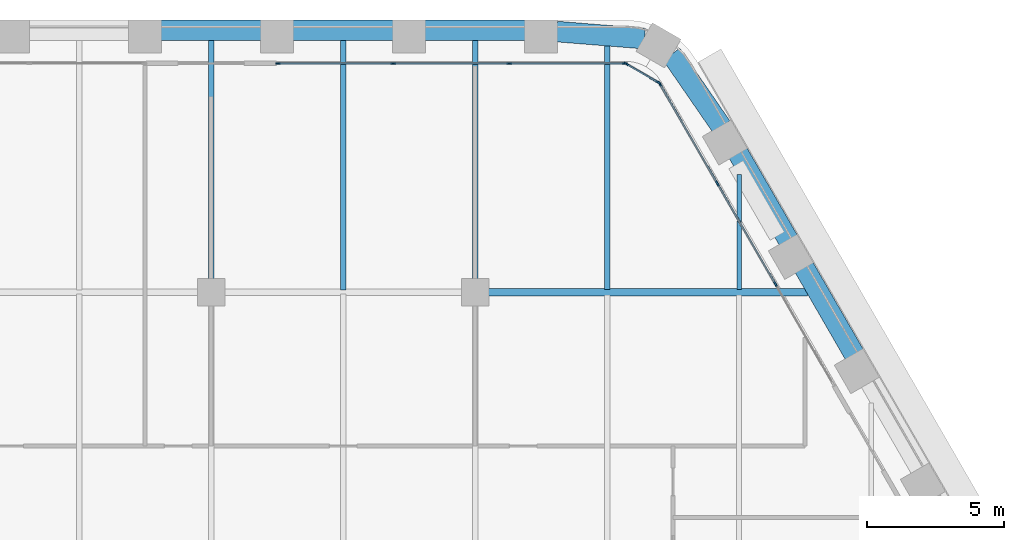
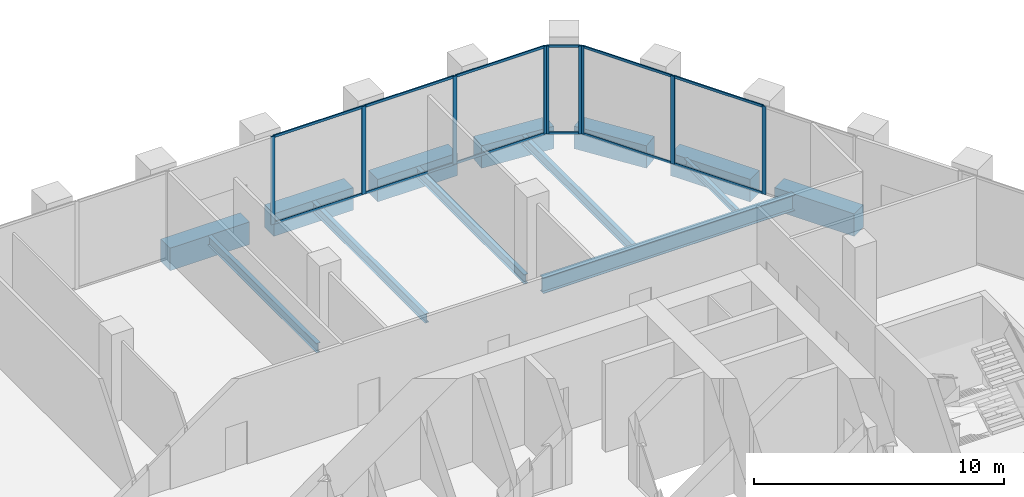
# One storey, part 9 of 22: 21 members, 13 beams, 3 elements without a shape of their own.
"""IFC4 building model written with IfcOpenShell, lengths in metres."""

from ifc_helpers import new_model, si_unit, direction, frame, origin, origin_2d, place, context, subcontext, project, spatial, rectangle, i_section, extrude, material, material_profile, profile_set, type_object, element, aggregate, save


model = new_model("IFC4")

# Units and contexts
model_context = context("Model", 3, precision=1e-05, world=origin(), true_north=direction((0.0, 1.0)))
body_context = subcontext(model_context, "Body", "Model", "MODEL_VIEW")
ifc_project = project(units=[si_unit("LENGTHUNIT", "METRE"), si_unit("AREAUNIT", "SQUARE_METRE"), si_unit("VOLUMEUNIT", "CUBIC_METRE"), si_unit("PLANEANGLEUNIT", "RADIAN"), si_unit("MASSUNIT", "GRAM", prefix="KILO")], contexts=[model_context])

# Site, building, storey
site_placement = place(None, origin())
site = spatial("IfcSite", under=ifc_project, at=site_placement, CompositionType="ELEMENT")
building_placement = place(site_placement, origin())
building = spatial("IfcBuilding", under=site, at=building_placement, Name="Kolab Exchange Tower", CompositionType="ELEMENT")
storey_placement = place(building_placement, frame((0.0, 0.0, 82.39990234375)))
storey = spatial("IfcBuildingStorey", under=building, at=storey_placement, Name="L15", CompositionType="ELEMENT", Elevation=82.39990234375)

# Beams
ifc_material_1 = material(Name="Steel S355", Category="steel")
ifc_material_profile_1 = material_profile(ifc_material_1, i_section(OverallWidth=0.1650390625, OverallDepth=0.31005859375, WebThickness=0.005859375, FlangeThickness=0.009765625, at=origin_2d()), Name="W310X39")
ifc_profile_set_1 = profile_set([ifc_material_profile_1], Name="Steel S355")
beam_type_1 = type_object("IfcBeamType", Name="FLOOR BEAM W310X39", PredefinedType="BEAM", material=ifc_profile_set_1)
beam_1_placement = place(storey_placement, frame((19.199951171875, 19.29345703125, -0.35498046875), z_axis=(0.0, 1.0, 0.0), x_axis=(-1.0, 0.0, 0.0)))
element("IfcBeam", 1, at=beam_1_placement, inside=storey, type_object=beam_type_1, Name="beam/L15/fr/045", PredefinedType="BEAM", context=body_context, shape_type="SweptSolid", body=[
    extrude(i_section(OverallWidth=0.1650390625, OverallDepth=0.31005859375, WebThickness=0.005859375, FlangeThickness=0.009765625, at=origin_2d()), origin(), (0.0, 0.0, 1.0), 4.18798828125),
])
ifc_material_profile_2 = material_profile(ifc_material_1, i_section(OverallWidth=0.18994140625, OverallDepth=0.45703125, WebThickness=0.009033203125, FlangeThickness=0.014404296875, at=origin_2d()), Name="W460X74")
ifc_profile_set_2 = profile_set([ifc_material_profile_2], Name="Steel S355")
beam_type_2 = type_object("IfcBeamType", Name="FLOOR BEAM W460X74", PredefinedType="BEAM", material=ifc_profile_set_2)
beam_2_placement = place(storey_placement, frame((0.0, 19.659912109375, -0.428466796875), z_axis=(0.0, 1.0, 0.0), x_axis=(-1.0, 0.0, 0.0)))
element("IfcBeam", 2, at=beam_2_placement, inside=storey, type_object=beam_type_2, Name="beam/L15/fr/027", PredefinedType="BEAM", context=body_context, shape_type="SweptSolid", body=[
    extrude(i_section(OverallWidth=0.18994140625, OverallDepth=0.45703125, WebThickness=0.009033203125, FlangeThickness=0.014404296875, at=origin_2d()), origin(), (0.0, 0.0, 1.0), 8.728515625),
])
beam_3_placement = place(storey_placement, frame((4.800048828125, 19.27392578125, -0.428466796875), z_axis=(0.0, 1.0, 0.0), x_axis=(-1.0, 0.0, 0.0)))
element("IfcBeam", 3, at=beam_3_placement, inside=storey, type_object=beam_type_2, Name="beam/L15/fr/031", PredefinedType="BEAM", context=body_context, shape_type="SweptSolid", body=[
    extrude(i_section(OverallWidth=0.18994140625, OverallDepth=0.45703125, WebThickness=0.009033203125, FlangeThickness=0.014404296875, at=origin_2d()), origin(), (0.0, 0.0, 1.0), 9.114501953125),
])
beam_4_placement = place(storey_placement, frame((9.60009765625, 19.659912109375, -0.428466796875), z_axis=(0.0, 1.0, 0.0), x_axis=(-1.0, 0.0, 0.0)))
element("IfcBeam", 4, at=beam_4_placement, inside=storey, type_object=beam_type_2, Name="beam/L15/fr/035", PredefinedType="BEAM", context=body_context, shape_type="SweptSolid", body=[
    extrude(i_section(OverallWidth=0.18994140625, OverallDepth=0.45703125, WebThickness=0.009033203125, FlangeThickness=0.014404296875, at=origin_2d()), origin(), (0.0, 0.0, 1.0), 8.728515625),
])
beam_5_placement = place(storey_placement, frame((14.39990234375, 19.29345703125, -0.428466796875), z_axis=(0.0, 1.0, 0.0), x_axis=(-1.0, 0.0, 0.0)))
element("IfcBeam", 5, at=beam_5_placement, inside=storey, type_object=beam_type_2, Name="beam/L15/fr/039", PredefinedType="BEAM", context=body_context, shape_type="SweptSolid", body=[
    extrude(i_section(OverallWidth=0.18994140625, OverallDepth=0.45703125, WebThickness=0.009033203125, FlangeThickness=0.014404296875, at=origin_2d()), origin(), (0.0, 0.0, 1.0), 8.901123046875),
])
ifc_material_profile_3 = material_profile(ifc_material_1, i_section(OverallWidth=0.26708984375, OverallDepth=0.761962890625, WebThickness=0.014404296875, FlangeThickness=0.021484375, at=origin_2d()), Name="W760X173")
ifc_profile_set_3 = profile_set([ifc_material_profile_3], Name="Steel S355")
beam_type_3 = type_object("IfcBeamType", Name="FLOOR GIRDER W760X173", PredefinedType="BEAM", material=ifc_profile_set_3)
beam_6_placement = place(storey_placement, frame((10.06005859375, 19.199951171875, -0.580810546875), z_axis=(1.0, 0.0, 0.0), x_axis=(0.0, 1.0, 0.0)))
element("IfcBeam", 6, at=beam_6_placement, inside=storey, type_object=beam_type_3, Name="beam/L15/gd/013", PredefinedType="BEAM", context=body_context, shape_type="SweptSolid", body=[
    extrude(i_section(OverallWidth=0.26708984375, OverallDepth=0.761962890625, WebThickness=0.014404296875, FlangeThickness=0.021484375, at=origin_2d()), origin(), (0.0, 0.0, 1.0), 11.628662109375),
])
ifc_material_2 = material(Name="Concrete C70/85", Category="concrete")
ifc_material_profile_4 = material_profile(ifc_material_2, rectangle(XDim=0.75, YDim=1.10009765625, at=origin_2d()), Name="RC750X1100")
ifc_profile_set_4 = profile_set([ifc_material_profile_4], Name="Concrete C70/85")
beam_type_4 = type_object("IfcBeamType", Name="SPANDREL BEAM 750X1100 C70/85", PredefinedType="BEAM", material=ifc_profile_set_4)
beam_7_placement = place(storey_placement, frame((-1.840087890625, 28.723388671875, -0.75), z_axis=(1.0, 0.0, 0.0), x_axis=(0.0, 1.0, 0.0)))
element("IfcBeam", 7, at=beam_7_placement, inside=storey, type_object=beam_type_4, Name="beam/L15/sp/F1-04", PredefinedType="BEAM", context=body_context, shape_type="SweptSolid", body=[
    extrude(rectangle(XDim=0.75, YDim=1.10009765625, at=origin_2d()), origin(), (0.0, 0.0, 1.0), 3.68017578125),
])
for number, where, z_axis, x_axis, name in (
    (8, (2.9599609375, 28.723388671875, -0.75), (1.0, 0.0, 0.0), (0.0, 1.0, 0.0), "beam/L15/sp/F1-05"),
    (9, (7.760009765625, 28.723388671875, -0.75), (1.0, 0.0, 0.0), (0.0, 1.0, 0.0), "beam/L15/sp/F1-06"),
):
    element("IfcBeam", number, at=place(storey_placement, frame(where, z_axis=z_axis, x_axis=x_axis)), inside=storey, type_object=beam_type_4, Name=name, PredefinedType="BEAM", context=body_context, shape_type="SweptSolid", body=[
        extrude(rectangle(XDim=0.75, YDim=1.10009765625, at=origin_2d()), origin(), (0.0, 0.0, 1.0), 3.679931640625),
    ])
for number, where, z_axis, x_axis, name in (
    (10, (12.56005859375, 28.678466796875, -0.75), (0.996791038408, -0.080047646748, 0.0), (0.080047646748, 0.996791038408, 0.0), "beam/L15/sp/F1-07"),
    (11, (16.73486328125, 27.85791015625, -0.75), (0.567661826262, -0.823261836237, 0.0), (0.823261836237, 0.567661826262, 0.0), "beam/L15/sp/F2-01"),
):
    element("IfcBeam", number, at=place(storey_placement, frame(where, z_axis=z_axis, x_axis=x_axis)), inside=storey, type_object=beam_type_4, Name=name, PredefinedType="BEAM", context=body_context, shape_type="SweptSolid", body=[
        extrude(rectangle(XDim=0.75, YDim=1.10009765625, at=origin_2d()), origin(), (0.0, 0.0, 1.0), 3.20849609375),
    ])
for number, where, z_axis, x_axis, name in (
    (12, (19.1552734375, 24.26904296875, -0.75), (0.500013413428, -0.866017659399, 0.0), (0.866017659399, 0.500013413428, 0.0), "beam/L15/sp/F2-02"),
    (13, (21.55517578125, 20.112060546875, -0.75), (0.500013413428, -0.866017659399, 0.0), (0.866017659399, 0.500013413428, 0.0), "beam/L15/sp/F2-03"),
):
    element("IfcBeam", number, at=place(storey_placement, frame(where, z_axis=z_axis, x_axis=x_axis)), inside=storey, type_object=beam_type_4, Name=name, PredefinedType="BEAM", context=body_context, shape_type="SweptSolid", body=[
        extrude(rectangle(XDim=0.75, YDim=1.10009765625, at=origin_2d()), origin(), (0.0, 0.0, 1.0), 3.68017578125),
    ])

# Curtain wall, members
ifc_material_3 = material(Name="Aluminium EN AW-6063 T6", Category="aluminium")
curtain_wall_type = type_object("IfcCurtainWallType", Name="UNITISED LOWER MID ZONE CURTAIN WALL", PredefinedType="NOTDEFINED", material=ifc_material_3)
curtain_wall_1_placement = place(storey_placement, origin())
curtain_wall_1 = element("IfcCurtainWall", 14, at=curtain_wall_1_placement, inside=storey, type_object=curtain_wall_type, Name="cw/L15/F1-2", PredefinedType="NOTDEFINED")
ifc_material_profile_5 = material_profile(ifc_material_3, rectangle(XDim=0.06005859375, YDim=0.179931640625, at=origin_2d()), Name="RECT 60X180")
ifc_profile_set_5 = profile_set([ifc_material_profile_5], Name="Aluminium EN AW-6063 T6")
member_type_1 = type_object("IfcMemberType", Name="UNITISED LOWER MID ZONE MULLION 60 X 180", PredefinedType="MULLION", material=ifc_profile_set_5)
member_1_placement = place(storey_placement, frame((2.429931640625, 27.5185546875, 0.0), z_axis=(0.0, 0.0, 1.0), x_axis=(0.0, 1.0, 0.0)))
member_1 = element("IfcMember", 15, at=member_1_placement, type_object=member_type_1, Name="CW2 mullion 1", PredefinedType="MULLION", context=body_context, shape_type="SweptSolid", body=[
    extrude(rectangle(XDim=0.06005859375, YDim=0.179931640625, at=origin_2d()), origin(), (0.0, 0.0, 1.0), 4.300048828125),
])
member_2_placement = place(storey_placement, frame((6.62255859375, 27.5185546875, 0.0), z_axis=(0.0, 0.0, 1.0), x_axis=(0.0, 1.0, 0.0)))
member_2 = element("IfcMember", 16, at=member_2_placement, type_object=member_type_1, Name="CW2 mullion 2", PredefinedType="MULLION", context=body_context, shape_type="SweptSolid", body=[
    extrude(rectangle(XDim=0.06005859375, YDim=0.179931640625, at=origin_2d()), origin(), (0.0, 0.0, 1.0), 4.300048828125),
])
member_3_placement = place(storey_placement, frame((10.84521484375, 27.5185546875, 0.0), z_axis=(0.0, 0.0, 1.0), x_axis=(0.0, 1.0, 0.0)))
member_3 = element("IfcMember", 17, at=member_3_placement, type_object=member_type_1, Name="CW2 mullion 3", PredefinedType="MULLION", context=body_context, shape_type="SweptSolid", body=[
    extrude(rectangle(XDim=0.06005859375, YDim=0.179931640625, at=origin_2d()), origin(), (0.0, 0.0, 1.0), 4.300048828125),
])
member_4_placement = place(storey_placement, frame((15.037841796875, 27.5185546875, 0.0), z_axis=(0.0, 0.0, 1.0), x_axis=(0.0, 1.0, 0.0)))
member_4 = element("IfcMember", 18, at=member_4_placement, type_object=member_type_1, Name="CW2 mullion 4", PredefinedType="MULLION", context=body_context, shape_type="SweptSolid", body=[
    extrude(rectangle(XDim=0.06005859375, YDim=0.179931640625, at=origin_2d()), origin(), (0.0, 0.0, 1.0), 4.300048828125),
])

curtain_wall_2_placement = place(storey_placement, origin())
curtain_wall_2 = element("IfcCurtainWall", 19, at=curtain_wall_2_placement, inside=storey, type_object=curtain_wall_type, Name="cw/L15/F2-1", PredefinedType="NOTDEFINED")
member_5_placement = place(storey_placement, frame((16.312744140625, 26.782470703125, 0.0), z_axis=(0.0, 0.0, 1.0), x_axis=(0.866025393644, 0.500000017564, 0.0)))
member_5 = element("IfcMember", 20, at=member_5_placement, type_object=member_type_1, Name="CW2 mullion 1", PredefinedType="MULLION", context=body_context, shape_type="SweptSolid", body=[
    extrude(rectangle(XDim=0.06005859375, YDim=0.179931640625, at=origin_2d()), origin(), (0.0, 0.0, 1.0), 4.300048828125),
])
member_6_placement = place(storey_placement, frame((18.408935546875, 23.151611328125, 0.0), z_axis=(0.0, 0.0, 1.0), x_axis=(0.866025393644, 0.500000017564, 0.0)))
member_6 = element("IfcMember", 21, at=member_6_placement, type_object=member_type_1, Name="CW2 mullion 2", PredefinedType="MULLION", context=body_context, shape_type="SweptSolid", body=[
    extrude(rectangle(XDim=0.06005859375, YDim=0.179931640625, at=origin_2d()), origin(), (0.0, 0.0, 1.0), 4.300048828125),
])
member_7_placement = place(storey_placement, frame((20.520263671875, 19.49462890625, 0.0), z_axis=(0.0, 0.0, 1.0), x_axis=(0.866025393644, 0.500000017564, 0.0)))
member_7 = element("IfcMember", 22, at=member_7_placement, type_object=member_type_1, Name="CW2 mullion 3", PredefinedType="MULLION", context=body_context, shape_type="SweptSolid", body=[
    extrude(rectangle(XDim=0.06005859375, YDim=0.179931640625, at=origin_2d()), origin(), (0.0, 0.0, 1.0), 4.300048828125),
])

curtain_wall_3_placement = place(storey_placement, origin())
curtain_wall_3 = element("IfcCurtainWall", 23, at=curtain_wall_3_placement, inside=storey, type_object=curtain_wall_type, Name="cw/L15/F1F2-corner", PredefinedType="NOTDEFINED")
member_8_placement = place(storey_placement, frame((15.093994140625, 27.50341796875, 0.0), z_axis=(0.0, 0.0, 1.0), x_axis=(0.50000002237, 0.866025390869, 0.0)))
member_8 = element("IfcMember", 24, at=member_8_placement, type_object=member_type_1, Name="CW2 mullion 1", PredefinedType="MULLION", context=body_context, shape_type="SweptSolid", body=[
    extrude(rectangle(XDim=0.06005859375, YDim=0.179931640625, at=origin_2d()), origin(), (0.0, 0.0, 1.0), 4.300048828125),
])
member_9_placement = place(storey_placement, frame((16.271728515625, 26.823486328125, 0.0), z_axis=(0.0, 0.0, 1.0), x_axis=(0.50000002237, 0.866025390869, 0.0)))
member_9 = element("IfcMember", 25, at=member_9_placement, type_object=member_type_1, Name="CW2 mullion 2", PredefinedType="MULLION", context=body_context, shape_type="SweptSolid", body=[
    extrude(rectangle(XDim=0.06005859375, YDim=0.179931640625, at=origin_2d()), origin(), (0.0, 0.0, 1.0), 4.300048828125),
])

# Member
ifc_material_profile_6 = material_profile(ifc_material_3, rectangle(XDim=0.06005859375, YDim=0.1201171875, at=origin_2d()), Name="RECT 60X120")
ifc_profile_set_6 = profile_set([ifc_material_profile_6], Name="Aluminium EN AW-6063 T6")
member_type_2 = type_object("IfcMemberType", Name="UNITISED LOWER MID ZONE TRANSOM 60 X 120", PredefinedType="USERDEFINED", material=ifc_profile_set_6)
member_10_placement = place(storey_placement, frame((2.4599609375, 27.5185546875, 0.030029296875), z_axis=(1.0, 0.0, 0.0), x_axis=(0.0, 1.0, 0.0)))
member_10 = element("IfcMember", 26, at=member_10_placement, type_object=member_type_2, Name="CW2 transom 1.1", ObjectType="TRANSOM", PredefinedType="USERDEFINED", context=body_context, shape_type="SweptSolid", body=[
    extrude(rectangle(XDim=0.06005859375, YDim=0.1201171875, at=origin_2d()), origin(), (0.0, 0.0, 1.0), 4.132568359375),
])

member_11_placement = place(storey_placement, frame((2.4599609375, 27.5185546875, 4.27001953125), z_axis=(1.0, 0.0, 0.0), x_axis=(0.0, 1.0, 0.0)))
member_11 = element("IfcMember", 27, at=member_11_placement, type_object=member_type_2, Name="CW2 transom 1.2", ObjectType="TRANSOM", PredefinedType="USERDEFINED", context=body_context, shape_type="SweptSolid", body=[
    extrude(rectangle(XDim=0.06005859375, YDim=0.1201171875, at=origin_2d()), origin(), (0.0, 0.0, 1.0), 4.132568359375),
])

member_12_placement = place(storey_placement, frame((6.652587890625, 27.5185546875, 0.030029296875), z_axis=(1.0, 0.0, 0.0), x_axis=(0.0, 1.0, 0.0)))
member_12 = element("IfcMember", 28, at=member_12_placement, type_object=member_type_2, Name="CW2 transom 2.1", ObjectType="TRANSOM", PredefinedType="USERDEFINED", context=body_context, shape_type="SweptSolid", body=[
    extrude(rectangle(XDim=0.06005859375, YDim=0.1201171875, at=origin_2d()), origin(), (0.0, 0.0, 1.0), 4.16259765625),
])

member_13_placement = place(storey_placement, frame((6.652587890625, 27.5185546875, 4.27001953125), z_axis=(1.0, 0.0, 0.0), x_axis=(0.0, 1.0, 0.0)))
member_13 = element("IfcMember", 29, at=member_13_placement, type_object=member_type_2, Name="CW2 transom 2.2", ObjectType="TRANSOM", PredefinedType="USERDEFINED", context=body_context, shape_type="SweptSolid", body=[
    extrude(rectangle(XDim=0.06005859375, YDim=0.1201171875, at=origin_2d()), origin(), (0.0, 0.0, 1.0), 4.16259765625),
])

member_14_placement = place(storey_placement, frame((10.875244140625, 27.5185546875, 0.030029296875), z_axis=(1.0, 0.0, 0.0), x_axis=(0.0, 1.0, 0.0)))
member_14 = element("IfcMember", 30, at=member_14_placement, type_object=member_type_2, Name="CW2 transom 3.1", ObjectType="TRANSOM", PredefinedType="USERDEFINED", context=body_context, shape_type="SweptSolid", body=[
    extrude(rectangle(XDim=0.06005859375, YDim=0.1201171875, at=origin_2d()), origin(), (0.0, 0.0, 1.0), 4.1328125),
])

member_15_placement = place(storey_placement, frame((10.875244140625, 27.5185546875, 4.27001953125), z_axis=(1.0, 0.0, 0.0), x_axis=(0.0, 1.0, 0.0)))
member_15 = element("IfcMember", 31, at=member_15_placement, type_object=member_type_2, Name="CW2 transom 3.2", ObjectType="TRANSOM", PredefinedType="USERDEFINED", context=body_context, shape_type="SweptSolid", body=[
    extrude(rectangle(XDim=0.06005859375, YDim=0.1201171875, at=origin_2d()), origin(), (0.0, 0.0, 1.0), 4.1328125),
])

aggregate(curtain_wall_1, [member_1, member_2, member_3, member_4, member_10, member_11, member_12, member_13, member_14, member_15])

member_16_placement = place(storey_placement, frame((16.32763671875, 26.756591796875, 0.030029296875), z_axis=(0.500001996123, -0.866024251319, 0.0), x_axis=(0.866024251319, 0.500001996123, 0.0)))
member_16 = element("IfcMember", 32, at=member_16_placement, type_object=member_type_2, Name="CW2 transom 1.1", ObjectType="TRANSOM", PredefinedType="USERDEFINED", context=body_context, shape_type="SweptSolid", body=[
    extrude(rectangle(XDim=0.06005859375, YDim=0.1201171875, at=origin_2d()), origin(), (0.0, 0.0, 1.0), 4.1328125),
])

member_17_placement = place(storey_placement, frame((16.32763671875, 26.756591796875, 4.27001953125), z_axis=(0.500001996123, -0.866024251319, 0.0), x_axis=(0.866024251319, 0.500001996123, 0.0)))
member_17 = element("IfcMember", 33, at=member_17_placement, type_object=member_type_2, Name="CW2 transom 1.2", ObjectType="TRANSOM", PredefinedType="USERDEFINED", context=body_context, shape_type="SweptSolid", body=[
    extrude(rectangle(XDim=0.06005859375, YDim=0.1201171875, at=origin_2d()), origin(), (0.0, 0.0, 1.0), 4.1328125),
])

member_18_placement = place(storey_placement, frame((18.424072265625, 23.12548828125, 0.030029296875), z_axis=(0.49999322259, -0.866029316688, 0.0), x_axis=(0.866029316688, 0.49999322259, 0.0)))
member_18 = element("IfcMember", 34, at=member_18_placement, type_object=member_type_2, Name="CW2 transom 2.1", ObjectType="TRANSOM", PredefinedType="USERDEFINED", context=body_context, shape_type="SweptSolid", body=[
    extrude(rectangle(XDim=0.06005859375, YDim=0.1201171875, at=origin_2d()), origin(), (0.0, 0.0, 1.0), 4.16259765625),
])

member_19_placement = place(storey_placement, frame((18.424072265625, 23.12548828125, 4.27001953125), z_axis=(0.49999322259, -0.866029316688, 0.0), x_axis=(0.866029316688, 0.49999322259, 0.0)))
member_19 = element("IfcMember", 35, at=member_19_placement, type_object=member_type_2, Name="CW2 transom 2.2", ObjectType="TRANSOM", PredefinedType="USERDEFINED", context=body_context, shape_type="SweptSolid", body=[
    extrude(rectangle(XDim=0.06005859375, YDim=0.1201171875, at=origin_2d()), origin(), (0.0, 0.0, 1.0), 4.16259765625),
])

aggregate(curtain_wall_2, [member_5, member_6, member_7, member_16, member_17, member_18, member_19])

member_20_placement = place(storey_placement, frame((15.119873046875, 27.488525390625, 0.030029296875), z_axis=(0.866004217611, -0.500036693733, 0.0), x_axis=(0.500036693733, 0.866004217611, 0.0)))
member_20 = element("IfcMember", 36, at=member_20_placement, type_object=member_type_2, Name="CW2 transom 1.1", ObjectType="TRANSOM", PredefinedType="USERDEFINED", context=body_context, shape_type="SweptSolid", body=[
    extrude(rectangle(XDim=0.06005859375, YDim=0.1201171875, at=origin_2d()), origin(), (0.0, 0.0, 1.0), 1.30029296875),
])

member_21_placement = place(storey_placement, frame((15.119873046875, 27.488525390625, 4.27001953125), z_axis=(0.866004217611, -0.500036693733, 0.0), x_axis=(0.500036693733, 0.866004217611, 0.0)))
member_21 = element("IfcMember", 37, at=member_21_placement, type_object=member_type_2, Name="CW2 transom 1.2", ObjectType="TRANSOM", PredefinedType="USERDEFINED", context=body_context, shape_type="SweptSolid", body=[
    extrude(rectangle(XDim=0.06005859375, YDim=0.1201171875, at=origin_2d()), origin(), (0.0, 0.0, 1.0), 1.30029296875),
])

aggregate(curtain_wall_3, [member_8, member_9, member_20, member_21])

save(model, "model.ifc")
